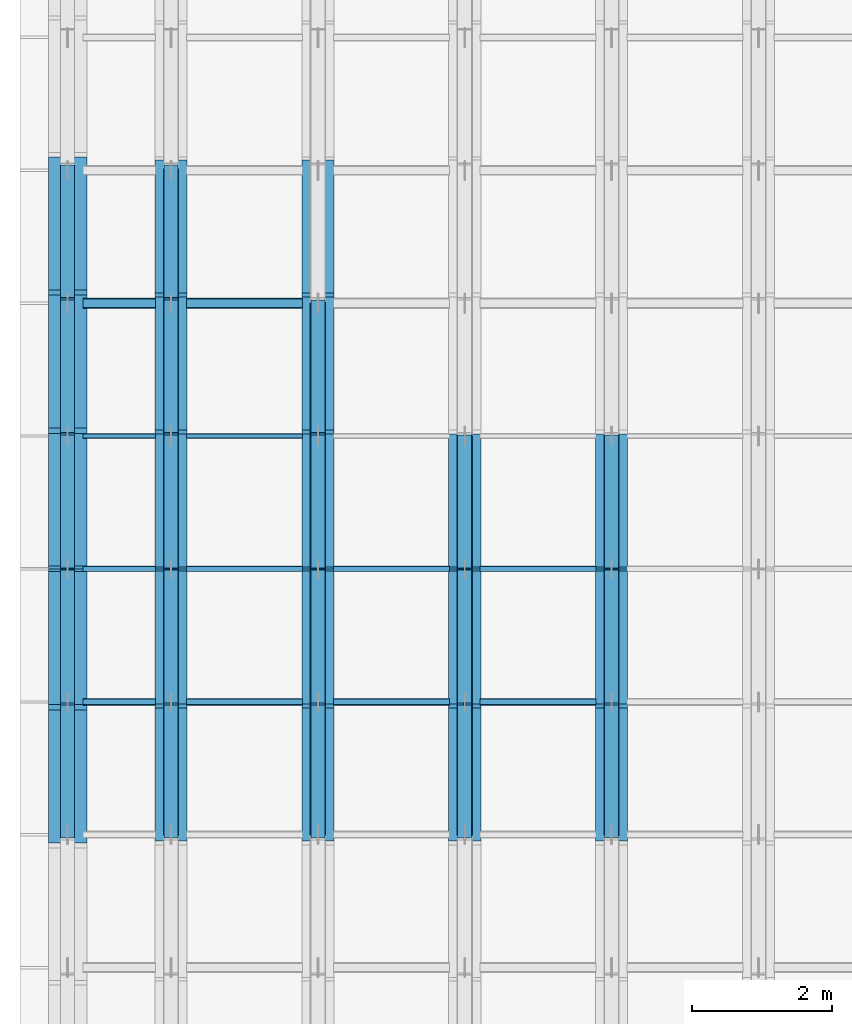
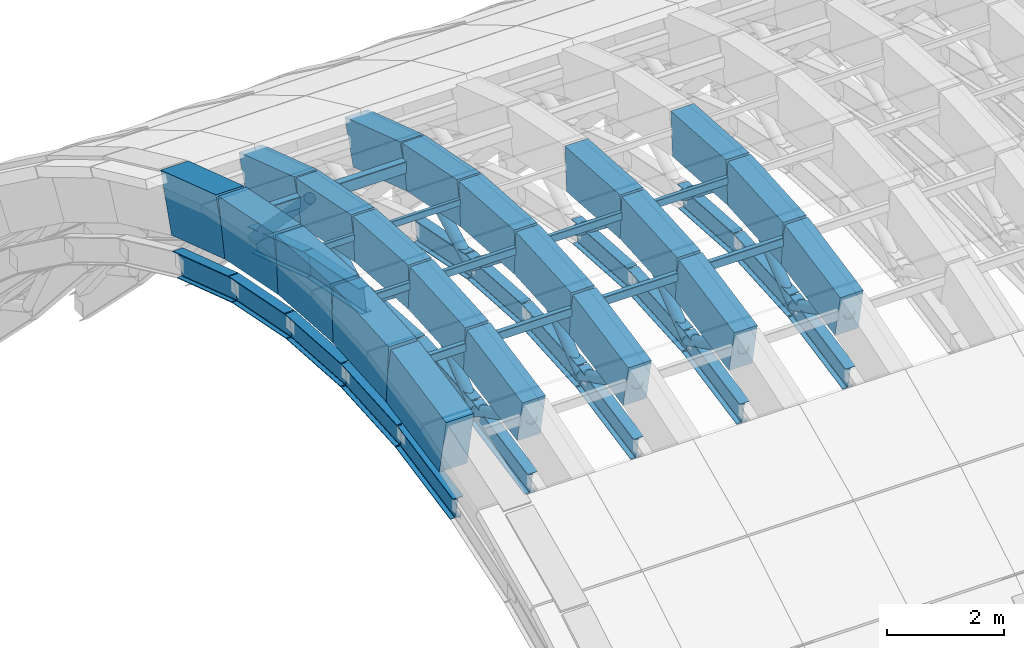
# One storey, part 11 of 67: 41 beams, 27 members.
"""IFC4 building model written with IfcOpenShell, lengths in metres."""

from ifc_helpers import new_model, si_unit, direction, frame, origin, origin_2d, place, context, subcontext, project, spatial, rectangle, hollow_rectangle, hollow_circle, i_section, extrude, material, material_profile, profile_set, type_object, element, save


model = new_model("IFC4")

# Units and contexts
model_context = context("Model", 3, precision=1e-05, world=origin(), true_north=direction((0.0, 1.0)))
body_context = subcontext(model_context, "Body", "Model", "MODEL_VIEW")
ifc_project = project(units=[si_unit("LENGTHUNIT", "METRE"), si_unit("AREAUNIT", "SQUARE_METRE"), si_unit("VOLUMEUNIT", "CUBIC_METRE"), si_unit("PLANEANGLEUNIT", "RADIAN"), si_unit("MASSUNIT", "GRAM", prefix="KILO")], contexts=[model_context])

# Site, building, storey
site_placement = place(None, origin())
site = spatial("IfcSite", under=ifc_project, at=site_placement, CompositionType="ELEMENT")
building_placement = place(site_placement, origin())
building = spatial("IfcBuilding", under=site, at=building_placement, Name="Shengluoqiao Park Theatre", CompositionType="ELEMENT")
storey_placement = place(building_placement, frame((0.0, 0.0, 28.60009765625)))
storey = spatial("IfcBuildingStorey", under=building, at=storey_placement, Name="Roof", CompositionType="ELEMENT", Elevation=28.60009765625)

# Beams
ifc_material_1 = material(Name="Concrete C50", Category="concrete")
ifc_material_profile_1 = material_profile(ifc_material_1, rectangle(XDim=0.4599609375, YDim=0.919921875, at=origin_2d()), Name="RC ARCH 460x920")
ifc_profile_set_1 = profile_set([ifc_material_profile_1], Name="Concrete C50")
beam_type_1 = type_object("IfcBeamType", Name="STR-BM-AR-4609", PredefinedType="BEAM", material=ifc_profile_set_1)
beam_1_placement = place(storey_placement, frame((46.5, 91.199951171875, 2.075927734375), z_axis=(0.0, 0.980788534345, 0.195073962632), x_axis=(-1.0, 0.0, 0.0)))
element("IfcBeam", 1, at=beam_1_placement, inside=storey, type_object=beam_type_1, Name="Barrel-Shell Arch Rib R02-S09", PredefinedType="BEAM", context=body_context, shape_type="SweptSolid", body=[
    extrude(rectangle(XDim=0.4599609375, YDim=0.919921875, at=origin_2d()), origin(), (0.0, 0.0, 1.0), 1.937255859375),
])
for number, where, z_axis, x_axis, name in (
    (2, (46.5, 93.10009765625, 2.453857421875), (0.0, 0.997808922354, 0.066161578506), (-1.0, 0.0, 0.0), "Barrel-Shell Arch Rib R02-S10"),
    (3, (46.5, 95.0, 2.579833984375), (0.0, 0.997808922354, -0.066161578506), (-1.0, 0.0, 0.0), "Barrel-Shell Arch Rib R02-S11"),
):
    element("IfcBeam", number, at=place(storey_placement, frame(where, z_axis=z_axis, x_axis=x_axis)), inside=storey, type_object=beam_type_1, Name=name, PredefinedType="BEAM", context=body_context, shape_type="SweptSolid", body=[
        extrude(rectangle(XDim=0.4599609375, YDim=0.919921875, at=origin_2d()), origin(), (0.0, 0.0, 1.0), 1.904052734375),
    ])
beam_2_placement = place(storey_placement, frame((46.5, 96.89990234375, 2.453857421875), z_axis=(0.0, 0.980788534345, -0.195073962632), x_axis=(-1.0, 0.0, 0.0)))
element("IfcBeam", 4, at=beam_2_placement, inside=storey, type_object=beam_type_1, Name="Barrel-Shell Arch Rib R02-S12", PredefinedType="BEAM", context=body_context, shape_type="SweptSolid", body=[
    extrude(rectangle(XDim=0.4599609375, YDim=0.919921875, at=origin_2d()), origin(), (0.0, 0.0, 1.0), 1.937255859375),
])
beam_3_placement = place(storey_placement, frame((46.5, 98.800048828125, 2.075927734375), z_axis=(0.0, 0.949157901431, -0.314800378257), x_axis=(-1.0, 0.0, 0.0)))
element("IfcBeam", 5, at=beam_3_placement, inside=storey, type_object=beam_type_1, Name="Barrel-Shell Arch Rib R02-S13", PredefinedType="BEAM", context=body_context, shape_type="SweptSolid", body=[
    extrude(rectangle(XDim=0.4599609375, YDim=0.919921875, at=origin_2d()), origin(), (0.0, 0.0, 1.0), 2.001708984375),
])
beam_4_placement = place(storey_placement, frame((48.60009765625, 91.199951171875, 2.075927734375), z_axis=(0.0, 0.980788534345, 0.195073962632), x_axis=(-1.0, 0.0, 0.0)))
element("IfcBeam", 6, at=beam_4_placement, inside=storey, type_object=beam_type_1, Name="Barrel-Shell Arch Rib R03-S09", PredefinedType="BEAM", context=body_context, shape_type="SweptSolid", body=[
    extrude(rectangle(XDim=0.4599609375, YDim=0.919921875, at=origin_2d()), origin(), (0.0, 0.0, 1.0), 1.937255859375),
])
for number, where, z_axis, x_axis, name in (
    (7, (48.60009765625, 93.10009765625, 2.453857421875), (0.0, 0.997808922354, 0.066161578506), (-1.0, 0.0, 0.0), "Barrel-Shell Arch Rib R03-S10"),
    (8, (48.60009765625, 95.0, 2.579833984375), (0.0, 0.997808922354, -0.066161578506), (-1.0, 0.0, 0.0), "Barrel-Shell Arch Rib R03-S11"),
):
    element("IfcBeam", number, at=place(storey_placement, frame(where, z_axis=z_axis, x_axis=x_axis)), inside=storey, type_object=beam_type_1, Name=name, PredefinedType="BEAM", context=body_context, shape_type="SweptSolid", body=[
        extrude(rectangle(XDim=0.4599609375, YDim=0.919921875, at=origin_2d()), origin(), (0.0, 0.0, 1.0), 1.904052734375),
    ])
beam_5_placement = place(storey_placement, frame((48.60009765625, 96.89990234375, 2.453857421875), z_axis=(0.0, 0.980788534345, -0.195073962632), x_axis=(-1.0, 0.0, 0.0)))
element("IfcBeam", 9, at=beam_5_placement, inside=storey, type_object=beam_type_1, Name="Barrel-Shell Arch Rib R03-S12", PredefinedType="BEAM", context=body_context, shape_type="SweptSolid", body=[
    extrude(rectangle(XDim=0.4599609375, YDim=0.919921875, at=origin_2d()), origin(), (0.0, 0.0, 1.0), 1.937255859375),
])
beam_6_placement = place(storey_placement, frame((48.60009765625, 98.800048828125, 2.075927734375), z_axis=(0.0, 0.949157901431, -0.314800378257), x_axis=(-1.0, 0.0, 0.0)))
element("IfcBeam", 10, at=beam_6_placement, inside=storey, type_object=beam_type_1, Name="Barrel-Shell Arch Rib R03-S13", PredefinedType="BEAM", context=body_context, shape_type="SweptSolid", body=[
    extrude(rectangle(XDim=0.4599609375, YDim=0.919921875, at=origin_2d()), origin(), (0.0, 0.0, 1.0), 2.001708984375),
])
beam_7_placement = place(storey_placement, frame((50.699951171875, 91.199951171875, 2.075927734375), z_axis=(0.0, 0.980788534345, 0.195073962632), x_axis=(-1.0, 0.0, 0.0)))
element("IfcBeam", 11, at=beam_7_placement, inside=storey, type_object=beam_type_1, Name="Barrel-Shell Arch Rib R04-S09", PredefinedType="BEAM", context=body_context, shape_type="SweptSolid", body=[
    extrude(rectangle(XDim=0.4599609375, YDim=0.919921875, at=origin_2d()), origin(), (0.0, 0.0, 1.0), 1.937255859375),
])
for number, where, z_axis, x_axis, name in (
    (12, (50.699951171875, 93.10009765625, 2.453857421875), (0.0, 0.997808922354, 0.066161578506), (-1.0, 0.0, 0.0), "Barrel-Shell Arch Rib R04-S10"),
    (13, (50.699951171875, 95.0, 2.579833984375), (0.0, 0.997808922354, -0.066161578506), (-1.0, 0.0, 0.0), "Barrel-Shell Arch Rib R04-S11"),
):
    element("IfcBeam", number, at=place(storey_placement, frame(where, z_axis=z_axis, x_axis=x_axis)), inside=storey, type_object=beam_type_1, Name=name, PredefinedType="BEAM", context=body_context, shape_type="SweptSolid", body=[
        extrude(rectangle(XDim=0.4599609375, YDim=0.919921875, at=origin_2d()), origin(), (0.0, 0.0, 1.0), 1.904052734375),
    ])
beam_8_placement = place(storey_placement, frame((52.800048828125, 91.199951171875, 2.075927734375), z_axis=(0.0, 0.980788534345, 0.195073962632), x_axis=(-1.0, 0.0, 0.0)))
element("IfcBeam", 14, at=beam_8_placement, inside=storey, type_object=beam_type_1, Name="Barrel-Shell Arch Rib R05-S09", PredefinedType="BEAM", context=body_context, shape_type="SweptSolid", body=[
    extrude(rectangle(XDim=0.4599609375, YDim=0.919921875, at=origin_2d()), origin(), (0.0, 0.0, 1.0), 1.937255859375),
])
for number, where, z_axis, x_axis, name in (
    (15, (52.800048828125, 93.10009765625, 2.453857421875), (0.0, 0.997808922354, 0.066161578506), (-1.0, 0.0, 0.0), "Barrel-Shell Arch Rib R05-S10"),
    (16, (52.800048828125, 95.0, 2.579833984375), (0.0, 0.997808922354, -0.066161578506), (-1.0, 0.0, 0.0), "Barrel-Shell Arch Rib R05-S11"),
):
    element("IfcBeam", number, at=place(storey_placement, frame(where, z_axis=z_axis, x_axis=x_axis)), inside=storey, type_object=beam_type_1, Name=name, PredefinedType="BEAM", context=body_context, shape_type="SweptSolid", body=[
        extrude(rectangle(XDim=0.4599609375, YDim=0.919921875, at=origin_2d()), origin(), (0.0, 0.0, 1.0), 1.904052734375),
    ])
ifc_material_profile_2 = material_profile(ifc_material_1, rectangle(XDim=0.550048828125, YDim=1.199951171875, at=origin_2d()), Name="RC ARCH 550x1200")
ifc_profile_set_2 = profile_set([ifc_material_profile_2], Name="Concrete C50")
beam_type_2 = type_object("IfcBeamType", Name="STR-BM-AR-5512", PredefinedType="BEAM", material=ifc_profile_set_2)
beam_9_placement = place(storey_placement, frame((45.02001953125, 91.199951171875, 2.075927734375), z_axis=(0.0, 0.980788534345, 0.195073962632), x_axis=(-1.0, 0.0, 0.0)))
element("IfcBeam", 17, at=beam_9_placement, inside=storey, type_object=beam_type_2, Name="Barrel-Shell Arch Rib R01-S09", PredefinedType="BEAM", context=body_context, shape_type="SweptSolid", body=[
    extrude(rectangle(XDim=0.550048828125, YDim=1.199951171875, at=origin_2d()), origin(), (0.0, 0.0, 1.0), 1.937255859375),
])
for number, where, z_axis, x_axis, name in (
    (18, (45.02001953125, 93.10009765625, 2.453857421875), (0.0, 0.997808922354, 0.066161578506), (-1.0, 0.0, 0.0), "Barrel-Shell Arch Rib R01-S10"),
    (19, (45.02001953125, 95.0, 2.579833984375), (0.0, 0.997808922354, -0.066161578506), (-1.0, 0.0, 0.0), "Barrel-Shell Arch Rib R01-S11"),
):
    element("IfcBeam", number, at=place(storey_placement, frame(where, z_axis=z_axis, x_axis=x_axis)), inside=storey, type_object=beam_type_2, Name=name, PredefinedType="BEAM", context=body_context, shape_type="SweptSolid", body=[
        extrude(rectangle(XDim=0.550048828125, YDim=1.199951171875, at=origin_2d()), origin(), (0.0, 0.0, 1.0), 1.904052734375),
    ])
beam_10_placement = place(storey_placement, frame((45.02001953125, 96.89990234375, 2.453857421875), z_axis=(0.0, 0.980788534345, -0.195073962632), x_axis=(-1.0, 0.0, 0.0)))
element("IfcBeam", 20, at=beam_10_placement, inside=storey, type_object=beam_type_2, Name="Barrel-Shell Arch Rib R01-S12", PredefinedType="BEAM", context=body_context, shape_type="SweptSolid", body=[
    extrude(rectangle(XDim=0.550048828125, YDim=1.199951171875, at=origin_2d()), origin(), (0.0, 0.0, 1.0), 1.937255859375),
])
beam_11_placement = place(storey_placement, frame((45.02001953125, 98.800048828125, 2.075927734375), z_axis=(0.0, 0.949157901431, -0.314800378257), x_axis=(-1.0, 0.0, 0.0)))
element("IfcBeam", 21, at=beam_11_placement, inside=storey, type_object=beam_type_2, Name="Barrel-Shell Arch Rib R01-S13", PredefinedType="BEAM", context=body_context, shape_type="SweptSolid", body=[
    extrude(rectangle(XDim=0.550048828125, YDim=1.199951171875, at=origin_2d()), origin(), (0.0, 0.0, 1.0), 2.001708984375),
])
ifc_material_2 = material(Name="Steel Q355", Category="steel")
ifc_material_profile_3 = material_profile(ifc_material_2, i_section(OverallWidth=0.199951171875, OverallDepth=0.5, WebThickness=0.010009765625, FlangeThickness=0.01611328125, FilletRadius=0.01806640625, at=origin_2d()), Name="HN 500x200x10x16")
ifc_profile_set_3 = profile_set([ifc_material_profile_3], Name="Steel Q355")
beam_type_3 = type_object("IfcBeamType", Name="STR-BM-J-HN500", PredefinedType="JOIST", material=ifc_profile_set_3)
beam_12_placement = place(storey_placement, frame((45.02001953125, 91.199951171875, 0.7158203125), z_axis=(0.0, 0.980764417124, 0.19519517951), x_axis=(-1.0, 0.0, 0.0)))
element("IfcBeam", 22, at=beam_12_placement, inside=storey, type_object=beam_type_3, Name="Barrel-Shell Lower Arch Chord R01-S09", PredefinedType="JOIST", context=body_context, shape_type="SweptSolid", body=[
    extrude(i_section(OverallWidth=0.199951171875, OverallDepth=0.5, WebThickness=0.010009765625, FlangeThickness=0.01611328125, FilletRadius=0.01806640625, at=origin_2d()), origin(), (0.0, 0.0, 1.0), 1.9375),
])
for number, where, z_axis, x_axis, name in (
    (23, (45.02001953125, 93.10009765625, 1.093994140625), (0.0, 0.997808922354, 0.066161578506), (-1.0, 0.0, 0.0), "Barrel-Shell Lower Arch Chord R01-S10"),
    (24, (45.02001953125, 95.0, 1.219970703125), (0.0, 0.997808922354, -0.066161578506), (-1.0, 0.0, 0.0), "Barrel-Shell Lower Arch Chord R01-S11"),
):
    element("IfcBeam", number, at=place(storey_placement, frame(where, z_axis=z_axis, x_axis=x_axis)), inside=storey, type_object=beam_type_3, Name=name, PredefinedType="JOIST", context=body_context, shape_type="SweptSolid", body=[
        extrude(i_section(OverallWidth=0.199951171875, OverallDepth=0.5, WebThickness=0.010009765625, FlangeThickness=0.01611328125, FilletRadius=0.01806640625, at=origin_2d()), origin(), (0.0, 0.0, 1.0), 1.904052734375),
    ])
beam_13_placement = place(storey_placement, frame((45.02001953125, 96.89990234375, 1.093994140625), z_axis=(0.0, 0.980764417124, -0.19519517951), x_axis=(-1.0, 0.0, 0.0)))
element("IfcBeam", 25, at=beam_13_placement, inside=storey, type_object=beam_type_3, Name="Barrel-Shell Lower Arch Chord R01-S12", PredefinedType="JOIST", context=body_context, shape_type="SweptSolid", body=[
    extrude(i_section(OverallWidth=0.199951171875, OverallDepth=0.5, WebThickness=0.010009765625, FlangeThickness=0.01611328125, FilletRadius=0.01806640625, at=origin_2d()), origin(), (0.0, 0.0, 1.0), 1.9375),
])
beam_14_placement = place(storey_placement, frame((45.02001953125, 98.800048828125, 0.7158203125), z_axis=(0.0, 0.949194340043, -0.314690490531), x_axis=(-1.0, 0.0, 0.0)))
element("IfcBeam", 26, at=beam_14_placement, inside=storey, type_object=beam_type_3, Name="Barrel-Shell Lower Arch Chord R01-S13", PredefinedType="JOIST", context=body_context, shape_type="SweptSolid", body=[
    extrude(i_section(OverallWidth=0.199951171875, OverallDepth=0.5, WebThickness=0.010009765625, FlangeThickness=0.01611328125, FilletRadius=0.01806640625, at=origin_2d()), origin(), (0.0, 0.0, 1.0), 2.001708984375),
])
beam_15_placement = place(storey_placement, frame((46.5, 91.199951171875, 0.7158203125), z_axis=(0.0, 0.980764417124, 0.19519517951), x_axis=(-1.0, 0.0, 0.0)))
element("IfcBeam", 27, at=beam_15_placement, inside=storey, type_object=beam_type_3, Name="Barrel-Shell Lower Arch Chord R02-S09", PredefinedType="JOIST", context=body_context, shape_type="SweptSolid", body=[
    extrude(i_section(OverallWidth=0.199951171875, OverallDepth=0.5, WebThickness=0.010009765625, FlangeThickness=0.01611328125, FilletRadius=0.01806640625, at=origin_2d()), origin(), (0.0, 0.0, 1.0), 1.9375),
])
for number, where, z_axis, x_axis, name in (
    (28, (46.5, 93.10009765625, 1.093994140625), (0.0, 0.997808922354, 0.066161578506), (-1.0, 0.0, 0.0), "Barrel-Shell Lower Arch Chord R02-S10"),
    (29, (46.5, 95.0, 1.219970703125), (0.0, 0.997808922354, -0.066161578506), (-1.0, 0.0, 0.0), "Barrel-Shell Lower Arch Chord R02-S11"),
):
    element("IfcBeam", number, at=place(storey_placement, frame(where, z_axis=z_axis, x_axis=x_axis)), inside=storey, type_object=beam_type_3, Name=name, PredefinedType="JOIST", context=body_context, shape_type="SweptSolid", body=[
        extrude(i_section(OverallWidth=0.199951171875, OverallDepth=0.5, WebThickness=0.010009765625, FlangeThickness=0.01611328125, FilletRadius=0.01806640625, at=origin_2d()), origin(), (0.0, 0.0, 1.0), 1.904052734375),
    ])
beam_16_placement = place(storey_placement, frame((46.5, 96.89990234375, 1.093994140625), z_axis=(0.0, 0.980764417124, -0.19519517951), x_axis=(-1.0, 0.0, 0.0)))
element("IfcBeam", 30, at=beam_16_placement, inside=storey, type_object=beam_type_3, Name="Barrel-Shell Lower Arch Chord R02-S12", PredefinedType="JOIST", context=body_context, shape_type="SweptSolid", body=[
    extrude(i_section(OverallWidth=0.199951171875, OverallDepth=0.5, WebThickness=0.010009765625, FlangeThickness=0.01611328125, FilletRadius=0.01806640625, at=origin_2d()), origin(), (0.0, 0.0, 1.0), 1.9375),
])
beam_17_placement = place(storey_placement, frame((46.5, 98.800048828125, 0.7158203125), z_axis=(0.0, 0.949194340043, -0.314690490531), x_axis=(-1.0, 0.0, 0.0)))
element("IfcBeam", 31, at=beam_17_placement, inside=storey, type_object=beam_type_3, Name="Barrel-Shell Lower Arch Chord R02-S13", PredefinedType="JOIST", context=body_context, shape_type="SweptSolid", body=[
    extrude(i_section(OverallWidth=0.199951171875, OverallDepth=0.5, WebThickness=0.010009765625, FlangeThickness=0.01611328125, FilletRadius=0.01806640625, at=origin_2d()), origin(), (0.0, 0.0, 1.0), 2.001708984375),
])
beam_18_placement = place(storey_placement, frame((48.60009765625, 91.199951171875, 0.7158203125), z_axis=(0.0, 0.980764417124, 0.19519517951), x_axis=(-1.0, 0.0, 0.0)))
element("IfcBeam", 32, at=beam_18_placement, inside=storey, type_object=beam_type_3, Name="Barrel-Shell Lower Arch Chord R03-S09", PredefinedType="JOIST", context=body_context, shape_type="SweptSolid", body=[
    extrude(i_section(OverallWidth=0.199951171875, OverallDepth=0.5, WebThickness=0.010009765625, FlangeThickness=0.01611328125, FilletRadius=0.01806640625, at=origin_2d()), origin(), (0.0, 0.0, 1.0), 1.9375),
])
for number, where, z_axis, x_axis, name in (
    (33, (48.60009765625, 93.10009765625, 1.093994140625), (0.0, 0.997808922354, 0.066161578506), (-1.0, 0.0, 0.0), "Barrel-Shell Lower Arch Chord R03-S10"),
    (34, (48.60009765625, 95.0, 1.219970703125), (0.0, 0.997808922354, -0.066161578506), (-1.0, 0.0, 0.0), "Barrel-Shell Lower Arch Chord R03-S11"),
):
    element("IfcBeam", number, at=place(storey_placement, frame(where, z_axis=z_axis, x_axis=x_axis)), inside=storey, type_object=beam_type_3, Name=name, PredefinedType="JOIST", context=body_context, shape_type="SweptSolid", body=[
        extrude(i_section(OverallWidth=0.199951171875, OverallDepth=0.5, WebThickness=0.010009765625, FlangeThickness=0.01611328125, FilletRadius=0.01806640625, at=origin_2d()), origin(), (0.0, 0.0, 1.0), 1.904052734375),
    ])
for number, where, z_axis, x_axis, name in (
    (35, (48.60009765625, 96.89990234375, 1.093994140625), (0.0, 0.980764417124, -0.19519517951), (-1.0, 0.0, 0.0), "Barrel-Shell Lower Arch Chord R03-S12"),
    (36, (50.699951171875, 91.199951171875, 0.7158203125), (0.0, 0.980764417124, 0.19519517951), (-1.0, 0.0, 0.0), "Barrel-Shell Lower Arch Chord R04-S09"),
):
    element("IfcBeam", number, at=place(storey_placement, frame(where, z_axis=z_axis, x_axis=x_axis)), inside=storey, type_object=beam_type_3, Name=name, PredefinedType="JOIST", context=body_context, shape_type="SweptSolid", body=[
        extrude(i_section(OverallWidth=0.199951171875, OverallDepth=0.5, WebThickness=0.010009765625, FlangeThickness=0.01611328125, FilletRadius=0.01806640625, at=origin_2d()), origin(), (0.0, 0.0, 1.0), 1.9375),
    ])
for number, where, z_axis, x_axis, name in (
    (37, (50.699951171875, 93.10009765625, 1.093994140625), (0.0, 0.997808922354, 0.066161578506), (-1.0, 0.0, 0.0), "Barrel-Shell Lower Arch Chord R04-S10"),
    (38, (50.699951171875, 95.0, 1.219970703125), (0.0, 0.997808922354, -0.066161578506), (-1.0, 0.0, 0.0), "Barrel-Shell Lower Arch Chord R04-S11"),
):
    element("IfcBeam", number, at=place(storey_placement, frame(where, z_axis=z_axis, x_axis=x_axis)), inside=storey, type_object=beam_type_3, Name=name, PredefinedType="JOIST", context=body_context, shape_type="SweptSolid", body=[
        extrude(i_section(OverallWidth=0.199951171875, OverallDepth=0.5, WebThickness=0.010009765625, FlangeThickness=0.01611328125, FilletRadius=0.01806640625, at=origin_2d()), origin(), (0.0, 0.0, 1.0), 1.904052734375),
    ])
beam_19_placement = place(storey_placement, frame((52.800048828125, 91.199951171875, 0.7158203125), z_axis=(0.0, 0.980764417124, 0.19519517951), x_axis=(-1.0, 0.0, 0.0)))
element("IfcBeam", 39, at=beam_19_placement, inside=storey, type_object=beam_type_3, Name="Barrel-Shell Lower Arch Chord R05-S09", PredefinedType="JOIST", context=body_context, shape_type="SweptSolid", body=[
    extrude(i_section(OverallWidth=0.199951171875, OverallDepth=0.5, WebThickness=0.010009765625, FlangeThickness=0.01611328125, FilletRadius=0.01806640625, at=origin_2d()), origin(), (0.0, 0.0, 1.0), 1.9375),
])
for number, where, z_axis, x_axis, name in (
    (40, (52.800048828125, 93.10009765625, 1.093994140625), (0.0, 0.997808922354, 0.066161578506), (-1.0, 0.0, 0.0), "Barrel-Shell Lower Arch Chord R05-S10"),
    (41, (52.800048828125, 95.0, 1.219970703125), (0.0, 0.997808922354, -0.066161578506), (-1.0, 0.0, 0.0), "Barrel-Shell Lower Arch Chord R05-S11"),
):
    element("IfcBeam", number, at=place(storey_placement, frame(where, z_axis=z_axis, x_axis=x_axis)), inside=storey, type_object=beam_type_3, Name=name, PredefinedType="JOIST", context=body_context, shape_type="SweptSolid", body=[
        extrude(i_section(OverallWidth=0.199951171875, OverallDepth=0.5, WebThickness=0.010009765625, FlangeThickness=0.01611328125, FilletRadius=0.01806640625, at=origin_2d()), origin(), (0.0, 0.0, 1.0), 1.904052734375),
    ])

# Members
ifc_material_profile_4 = material_profile(ifc_material_2, hollow_circle(Radius=0.109619140625, WallThickness=0.010009765625, at=origin_2d()), Name="CHS 219x10")
ifc_profile_set_4 = profile_set([ifc_material_profile_4], Name="Steel Q355")
member_type_1 = type_object("IfcMemberType", Name="STR-MEM-BRC-219", PredefinedType="BRACE", material=ifc_profile_set_4)
member_1_placement = place(storey_placement, frame((46.5, 91.199951171875, 2.075927734375), z_axis=(0.0, 0.888389440766, -0.459090624535), x_axis=(-1.0, 0.0, 0.0)))
element("IfcMember", 42, at=member_1_placement, inside=storey, type_object=member_type_1, Name="Barrel-Shell Arch Truss Web 0029", PredefinedType="BRACE", context=body_context, shape_type="SweptSolid", body=[
    extrude(hollow_circle(Radius=0.109619140625, WallThickness=0.010009765625, at=origin_2d()), origin(), (0.0, 0.0, 1.0), 2.138916015625),
])
for number, where, z_axis, x_axis, name in (
    (43, (46.5, 93.10009765625, 1.093994140625), (0.0, 0.787714283449, 0.616040751615), (-1.0, 0.0, 0.0), "Barrel-Shell Arch Truss Web 0030"),
    (44, (46.5, 95.0, 2.579833984375), (0.0, 0.787714283449, -0.616040751615), (-1.0, 0.0, 0.0), "Barrel-Shell Arch Truss Web 0031"),
):
    element("IfcMember", number, at=place(storey_placement, frame(where, z_axis=z_axis, x_axis=x_axis)), inside=storey, type_object=member_type_1, Name=name, PredefinedType="BRACE", context=body_context, shape_type="SweptSolid", body=[
        extrude(hollow_circle(Radius=0.109619140625, WallThickness=0.010009765625, at=origin_2d()), origin(), (0.0, 0.0, 1.0), 2.411865234375),
    ])
member_2_placement = place(storey_placement, frame((46.5, 96.89990234375, 1.093994140625), z_axis=(0.0, 0.888389440766, 0.459090624535), x_axis=(-1.0, 0.0, 0.0)))
element("IfcMember", 45, at=member_2_placement, inside=storey, type_object=member_type_1, Name="Barrel-Shell Arch Truss Web 0032", PredefinedType="BRACE", context=body_context, shape_type="SweptSolid", body=[
    extrude(hollow_circle(Radius=0.109619140625, WallThickness=0.010009765625, at=origin_2d()), origin(), (0.0, 0.0, 1.0), 2.138916015625),
])
member_3_placement = place(storey_placement, frame((46.5, 98.800048828125, 2.075927734375), z_axis=(0.0, 0.690545389436, -0.723289060562), x_axis=(-1.0, 0.0, 0.0)))
element("IfcMember", 46, at=member_3_placement, inside=storey, type_object=member_type_1, Name="Barrel-Shell Arch Truss Web 0033", PredefinedType="BRACE", context=body_context, shape_type="SweptSolid", body=[
    extrude(hollow_circle(Radius=0.109619140625, WallThickness=0.010009765625, at=origin_2d()), origin(), (0.0, 0.0, 1.0), 2.751220703125),
])
member_4_placement = place(storey_placement, frame((48.60009765625, 91.199951171875, 2.075927734375), z_axis=(0.0, 0.888389440766, -0.459090624535), x_axis=(-1.0, 0.0, 0.0)))
element("IfcMember", 47, at=member_4_placement, inside=storey, type_object=member_type_1, Name="Barrel-Shell Arch Truss Web 0049", PredefinedType="BRACE", context=body_context, shape_type="SweptSolid", body=[
    extrude(hollow_circle(Radius=0.109619140625, WallThickness=0.010009765625, at=origin_2d()), origin(), (0.0, 0.0, 1.0), 2.138916015625),
])
for number, where, z_axis, x_axis, name in (
    (48, (48.60009765625, 93.10009765625, 1.093994140625), (0.0, 0.787714283449, 0.616040751615), (-1.0, 0.0, 0.0), "Barrel-Shell Arch Truss Web 0050"),
    (49, (48.60009765625, 95.0, 2.579833984375), (0.0, 0.787714283449, -0.616040751615), (-1.0, 0.0, 0.0), "Barrel-Shell Arch Truss Web 0051"),
):
    element("IfcMember", number, at=place(storey_placement, frame(where, z_axis=z_axis, x_axis=x_axis)), inside=storey, type_object=member_type_1, Name=name, PredefinedType="BRACE", context=body_context, shape_type="SweptSolid", body=[
        extrude(hollow_circle(Radius=0.109619140625, WallThickness=0.010009765625, at=origin_2d()), origin(), (0.0, 0.0, 1.0), 2.411865234375),
    ])
for number, where, z_axis, x_axis, name in (
    (50, (48.60009765625, 96.89990234375, 1.093994140625), (0.0, 0.888389440766, 0.459090624535), (-1.0, 0.0, 0.0), "Barrel-Shell Arch Truss Web 0052"),
    (51, (50.699951171875, 91.199951171875, 2.075927734375), (0.0, 0.888389440766, -0.459090624535), (-1.0, 0.0, 0.0), "Barrel-Shell Arch Truss Web 0069"),
):
    element("IfcMember", number, at=place(storey_placement, frame(where, z_axis=z_axis, x_axis=x_axis)), inside=storey, type_object=member_type_1, Name=name, PredefinedType="BRACE", context=body_context, shape_type="SweptSolid", body=[
        extrude(hollow_circle(Radius=0.109619140625, WallThickness=0.010009765625, at=origin_2d()), origin(), (0.0, 0.0, 1.0), 2.138916015625),
    ])
for number, where, z_axis, x_axis, name in (
    (52, (50.699951171875, 93.10009765625, 1.093994140625), (0.0, 0.787714283449, 0.616040751615), (-1.0, 0.0, 0.0), "Barrel-Shell Arch Truss Web 0070"),
    (53, (50.699951171875, 95.0, 2.579833984375), (0.0, 0.787714283449, -0.616040751615), (-1.0, 0.0, 0.0), "Barrel-Shell Arch Truss Web 0071"),
):
    element("IfcMember", number, at=place(storey_placement, frame(where, z_axis=z_axis, x_axis=x_axis)), inside=storey, type_object=member_type_1, Name=name, PredefinedType="BRACE", context=body_context, shape_type="SweptSolid", body=[
        extrude(hollow_circle(Radius=0.109619140625, WallThickness=0.010009765625, at=origin_2d()), origin(), (0.0, 0.0, 1.0), 2.411865234375),
    ])
member_5_placement = place(storey_placement, frame((52.800048828125, 91.199951171875, 2.075927734375), z_axis=(0.0, 0.888389440766, -0.459090624535), x_axis=(-1.0, 0.0, 0.0)))
element("IfcMember", 54, at=member_5_placement, inside=storey, type_object=member_type_1, Name="Barrel-Shell Arch Truss Web 0089", PredefinedType="BRACE", context=body_context, shape_type="SweptSolid", body=[
    extrude(hollow_circle(Radius=0.109619140625, WallThickness=0.010009765625, at=origin_2d()), origin(), (0.0, 0.0, 1.0), 2.138916015625),
])
for number, where, z_axis, x_axis, name in (
    (55, (52.800048828125, 93.10009765625, 1.093994140625), (0.0, 0.787714283449, 0.616040751615), (-1.0, 0.0, 0.0), "Barrel-Shell Arch Truss Web 0090"),
    (56, (52.800048828125, 95.0, 2.579833984375), (0.0, 0.787714283449, -0.616040751615), (-1.0, 0.0, 0.0), "Barrel-Shell Arch Truss Web 0091"),
):
    element("IfcMember", number, at=place(storey_placement, frame(where, z_axis=z_axis, x_axis=x_axis)), inside=storey, type_object=member_type_1, Name=name, PredefinedType="BRACE", context=body_context, shape_type="SweptSolid", body=[
        extrude(hollow_circle(Radius=0.109619140625, WallThickness=0.010009765625, at=origin_2d()), origin(), (0.0, 0.0, 1.0), 2.411865234375),
    ])
ifc_material_profile_5 = material_profile(ifc_material_2, hollow_rectangle(XDim=0.070068359375, YDim=0.139892578125, WallThickness=0.006103515625, InnerFilletRadius=0.006103515625, OuterFilletRadius=0.011962890625, at=origin_2d()), Name="RHS 140x70x6")
ifc_profile_set_5 = profile_set([ifc_material_profile_5], Name="Steel Q355")
member_type_2 = type_object("IfcMemberType", Name="STR-MEM-PU-R140", PredefinedType="PURLIN", material=ifc_profile_set_5)
member_6_placement = place(storey_placement, frame((45.239990234375, 96.89990234375, 2.50390625), z_axis=(1.0, 0.0, 0.0), x_axis=(0.0, 1.0, 0.0)))
element("IfcMember", 57, at=member_6_placement, inside=storey, type_object=member_type_2, Name="Shell Longitudinal Purlin 0011", PredefinedType="PURLIN", context=body_context, shape_type="SweptSolid", body=[
    extrude(hollow_rectangle(XDim=0.070068359375, YDim=0.139892578125, WallThickness=0.006103515625, InnerFilletRadius=0.006103515625, OuterFilletRadius=0.011962890625, at=origin_2d()), origin(), (0.0, 0.0, 1.0), 1.0400390625),
])
member_7_placement = place(storey_placement, frame((46.719970703125, 96.89990234375, 2.50390625), z_axis=(1.0, 0.0, 0.0), x_axis=(0.0, 1.0, 0.0)))
element("IfcMember", 58, at=member_7_placement, inside=storey, type_object=member_type_2, Name="Shell Longitudinal Purlin 0030", PredefinedType="PURLIN", context=body_context, shape_type="SweptSolid", body=[
    extrude(hollow_rectangle(XDim=0.070068359375, YDim=0.139892578125, WallThickness=0.006103515625, InnerFilletRadius=0.006103515625, OuterFilletRadius=0.011962890625, at=origin_2d()), origin(), (0.0, 0.0, 1.0), 1.659912109375),
])
ifc_material_profile_6 = material_profile(ifc_material_2, hollow_rectangle(XDim=0.080078125, YDim=0.159912109375, WallThickness=0.006103515625, InnerFilletRadius=0.006103515625, OuterFilletRadius=0.011962890625, at=origin_2d()), Name="RHS 160x80x6")
ifc_profile_set_6 = profile_set([ifc_material_profile_6], Name="Steel Q355")
member_type_3 = type_object("IfcMemberType", Name="STR-MEM-PU-R160", PredefinedType="PURLIN", material=ifc_profile_set_6)
member_8_placement = place(storey_placement, frame((45.239990234375, 95.0, 2.639892578125), z_axis=(1.0, 0.0, 0.0), x_axis=(0.0, 1.0, 0.0)))
element("IfcMember", 59, at=member_8_placement, inside=storey, type_object=member_type_3, Name="Shell Longitudinal Purlin 0010", PredefinedType="PURLIN", context=body_context, shape_type="SweptSolid", body=[
    extrude(hollow_rectangle(XDim=0.080078125, YDim=0.159912109375, WallThickness=0.006103515625, InnerFilletRadius=0.006103515625, OuterFilletRadius=0.011962890625, at=origin_2d()), origin(), (0.0, 0.0, 1.0), 1.0400390625),
])
for number, where, z_axis, x_axis, name in (
    (60, (46.719970703125, 95.0, 2.639892578125), (1.0, 0.0, 0.0), (0.0, 1.0, 0.0), "Shell Longitudinal Purlin 0029"),
    (61, (48.820068359375, 95.0, 2.639892578125), (1.0, 0.0, 0.0), (0.0, 1.0, 0.0), "Shell Longitudinal Purlin 0048"),
):
    element("IfcMember", number, at=place(storey_placement, frame(where, z_axis=z_axis, x_axis=x_axis)), inside=storey, type_object=member_type_3, Name=name, PredefinedType="PURLIN", context=body_context, shape_type="SweptSolid", body=[
        extrude(hollow_rectangle(XDim=0.080078125, YDim=0.159912109375, WallThickness=0.006103515625, InnerFilletRadius=0.006103515625, OuterFilletRadius=0.011962890625, at=origin_2d()), origin(), (0.0, 0.0, 1.0), 1.659912109375),
    ])
member_9_placement = place(storey_placement, frame((50.919921875, 95.0, 2.639892578125), z_axis=(1.0, 0.0, 0.0), x_axis=(0.0, 1.0, 0.0)))
element("IfcMember", 62, at=member_9_placement, inside=storey, type_object=member_type_3, Name="Shell Longitudinal Purlin 0067", PredefinedType="PURLIN", context=body_context, shape_type="SweptSolid", body=[
    extrude(hollow_rectangle(XDim=0.080078125, YDim=0.159912109375, WallThickness=0.006103515625, InnerFilletRadius=0.006103515625, OuterFilletRadius=0.011962890625, at=origin_2d()), origin(), (0.0, 0.0, 1.0), 1.66015625),
])
ifc_material_profile_7 = material_profile(ifc_material_2, hollow_rectangle(XDim=0.10009765625, YDim=0.179931640625, WallThickness=0.008056640625, InnerFilletRadius=0.008056640625, OuterFilletRadius=0.01611328125, at=origin_2d()), Name="RHS 180x100x8")
ifc_profile_set_7 = profile_set([ifc_material_profile_7], Name="Steel Q355")
member_type_4 = type_object("IfcMemberType", Name="STR-MEM-PU-R180", PredefinedType="PURLIN", material=ifc_profile_set_7)
member_10_placement = place(storey_placement, frame((45.239990234375, 93.10009765625, 2.513916015625), z_axis=(1.0, 0.0, 0.0), x_axis=(0.0, 1.0, 0.0)))
element("IfcMember", 63, at=member_10_placement, inside=storey, type_object=member_type_4, Name="Shell Longitudinal Purlin 0009", PredefinedType="PURLIN", context=body_context, shape_type="SweptSolid", body=[
    extrude(hollow_rectangle(XDim=0.10009765625, YDim=0.179931640625, WallThickness=0.008056640625, InnerFilletRadius=0.008056640625, OuterFilletRadius=0.01611328125, at=origin_2d()), origin(), (0.0, 0.0, 1.0), 1.0400390625),
])
for number, where, z_axis, x_axis, name in (
    (64, (46.719970703125, 93.10009765625, 2.513916015625), (1.0, 0.0, 0.0), (0.0, 1.0, 0.0), "Shell Longitudinal Purlin 0028"),
    (65, (48.820068359375, 93.10009765625, 2.513916015625), (1.0, 0.0, 0.0), (0.0, 1.0, 0.0), "Shell Longitudinal Purlin 0047"),
):
    element("IfcMember", number, at=place(storey_placement, frame(where, z_axis=z_axis, x_axis=x_axis)), inside=storey, type_object=member_type_4, Name=name, PredefinedType="PURLIN", context=body_context, shape_type="SweptSolid", body=[
        extrude(hollow_rectangle(XDim=0.10009765625, YDim=0.179931640625, WallThickness=0.008056640625, InnerFilletRadius=0.008056640625, OuterFilletRadius=0.01611328125, at=origin_2d()), origin(), (0.0, 0.0, 1.0), 1.659912109375),
    ])
member_11_placement = place(storey_placement, frame((50.919921875, 93.10009765625, 2.513916015625), z_axis=(1.0, 0.0, 0.0), x_axis=(0.0, 1.0, 0.0)))
element("IfcMember", 66, at=member_11_placement, inside=storey, type_object=member_type_4, Name="Shell Longitudinal Purlin 0066", PredefinedType="PURLIN", context=body_context, shape_type="SweptSolid", body=[
    extrude(hollow_rectangle(XDim=0.10009765625, YDim=0.179931640625, WallThickness=0.008056640625, InnerFilletRadius=0.008056640625, OuterFilletRadius=0.01611328125, at=origin_2d()), origin(), (0.0, 0.0, 1.0), 1.66015625),
])
ifc_material_profile_8 = material_profile(ifc_material_2, hollow_rectangle(XDim=0.14990234375, YDim=0.25, WallThickness=0.010009765625, InnerFilletRadius=0.010009765625, OuterFilletRadius=0.02001953125, at=origin_2d()), Name="RHS 250x150x10")
ifc_profile_set_8 = profile_set([ifc_material_profile_8], Name="Steel Q355")
member_type_5 = type_object("IfcMemberType", Name="STR-MEM-PU-R250", PredefinedType="PURLIN", material=ifc_profile_set_8)
member_12_placement = place(storey_placement, frame((45.239990234375, 98.800048828125, 2.10595703125), z_axis=(1.0, 0.0, 0.0), x_axis=(0.0, 1.0, 0.0)))
element("IfcMember", 67, at=member_12_placement, inside=storey, type_object=member_type_5, Name="Shell Longitudinal Purlin 0012", PredefinedType="PURLIN", context=body_context, shape_type="SweptSolid", body=[
    extrude(hollow_rectangle(XDim=0.14990234375, YDim=0.25, WallThickness=0.010009765625, InnerFilletRadius=0.010009765625, OuterFilletRadius=0.02001953125, at=origin_2d()), origin(), (0.0, 0.0, 1.0), 1.0400390625),
])
member_13_placement = place(storey_placement, frame((46.719970703125, 98.800048828125, 2.10595703125), z_axis=(1.0, 0.0, 0.0), x_axis=(0.0, 1.0, 0.0)))
element("IfcMember", 68, at=member_13_placement, inside=storey, type_object=member_type_5, Name="Shell Longitudinal Purlin 0031", PredefinedType="PURLIN", context=body_context, shape_type="SweptSolid", body=[
    extrude(hollow_rectangle(XDim=0.14990234375, YDim=0.25, WallThickness=0.010009765625, InnerFilletRadius=0.010009765625, OuterFilletRadius=0.02001953125, at=origin_2d()), origin(), (0.0, 0.0, 1.0), 1.659912109375),
])

save(model, "model.ifc")
